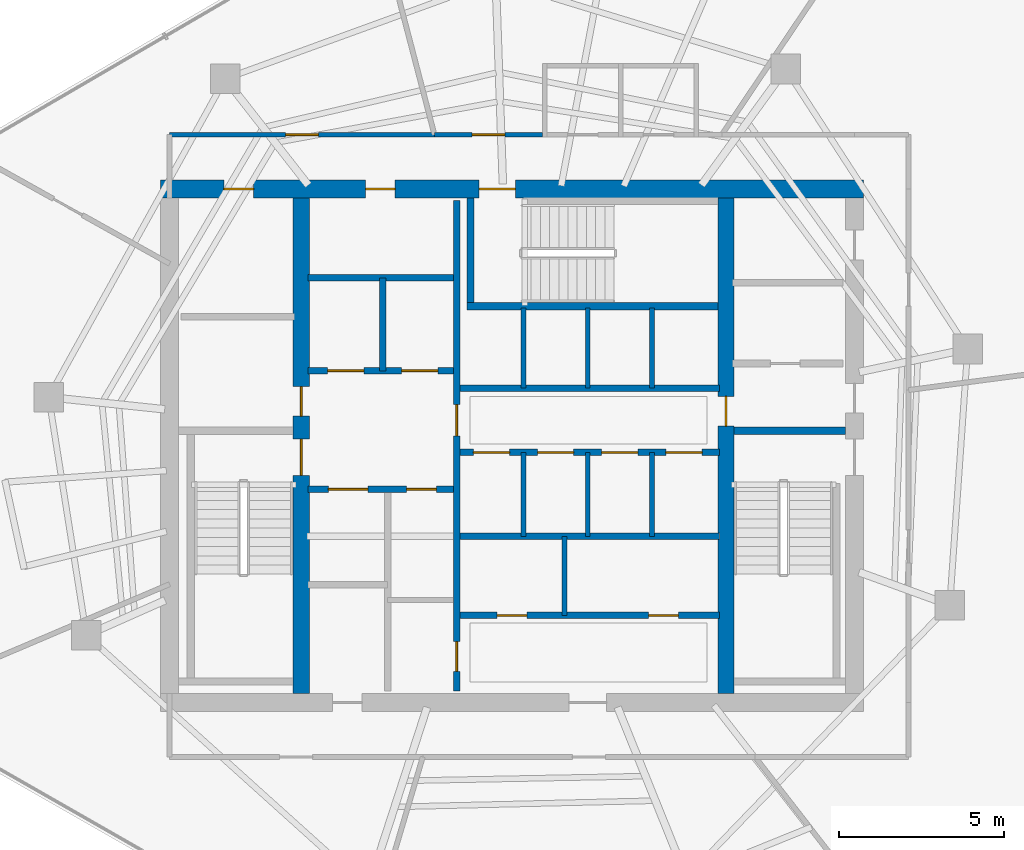
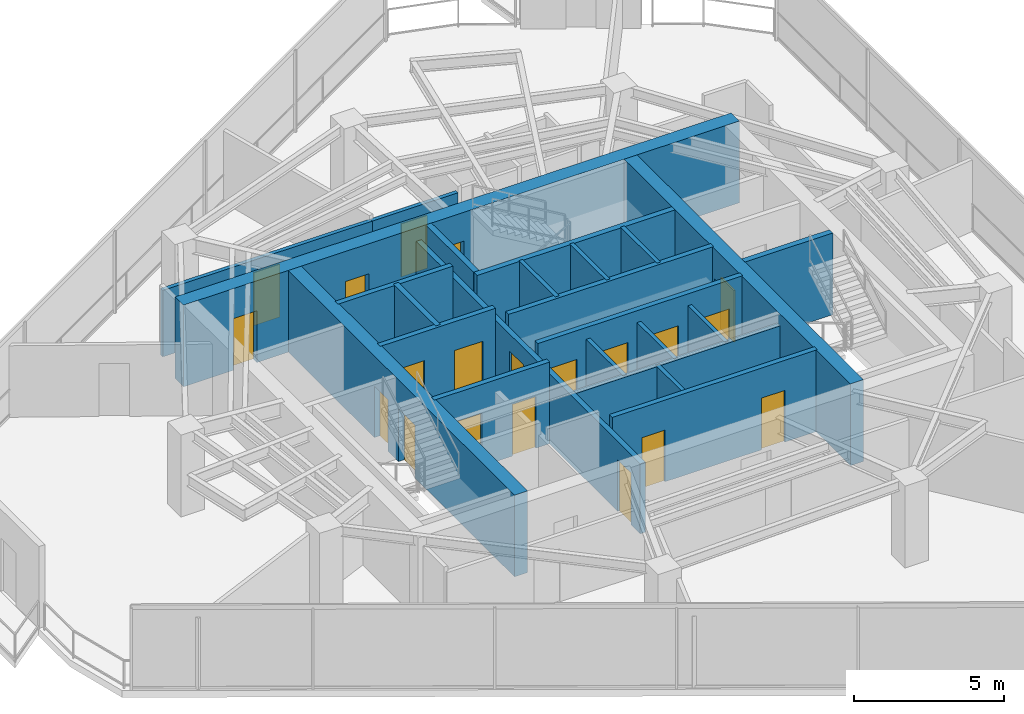
# One storey, part 15 of 19: 24 walls, 20 doors, 20 openings.
"""IFC4 building model written with IfcOpenShell, lengths in metres."""

from ifc_helpers import new_model, si_unit, direction, frame, frame_2d, origin, place, context, subcontext, project, spatial, rectangle, extrude, material, layer, layer_set, type_object, element, fill, save


model = new_model("IFC4")

# Units and contexts
model_context = context("Model", 3, precision=1e-05, world=origin(), true_north=direction((0.0, 1.0)))
body_context = subcontext(model_context, "Body", "Model", "MODEL_VIEW")
ifc_project = project(units=[si_unit("LENGTHUNIT", "METRE"), si_unit("AREAUNIT", "SQUARE_METRE"), si_unit("VOLUMEUNIT", "CUBIC_METRE"), si_unit("PLANEANGLEUNIT", "RADIAN"), si_unit("MASSUNIT", "GRAM", prefix="KILO")], contexts=[model_context])

# Site, building, storey
site_placement = place(None, origin())
site = spatial("IfcSite", under=ifc_project, at=site_placement, CompositionType="ELEMENT")
building_placement = place(site_placement, origin())
building = spatial("IfcBuilding", under=site, at=building_placement, Name="Qarnah Convention Tower", CompositionType="ELEMENT")
storey_placement = place(building_placement, frame((0.0, 0.0, 180.60009765625)))
storey = spatial("IfcBuildingStorey", under=building, at=storey_placement, Name="L48", CompositionType="ELEMENT", Elevation=180.60009765625)

# Wall, openings, doors
ifc_material_1 = material(Name="Concrete C60/75", Category="concrete")
ifc_layer_1 = layer(ifc_material_1, 0.550048828125)
ifc_layer_set_1 = layer_set([ifc_layer_1], Name="Concrete C60/75")
wall_type_1 = type_object("IfcWallType", Name="WL-CORE-550", PredefinedType="SHEAR", material=ifc_layer_set_1)
wall_1_placement = place(storey_placement, frame((26.52490234375, 34.199951171875, 0.0), z_axis=(0.0, 0.0, 1.0), x_axis=(1.0, 0.0, 0.0)))
wall_1 = element("IfcWall", 1, at=wall_1_placement, inside=storey, type_object=wall_type_1, Name="L48 core north shear wall", PredefinedType="SHEAR", context=body_context, shape_type="SweptSolid", body=[
    extrude(rectangle(XDim=21.35009765625, YDim=0.550048828125, at=frame_2d((10.675048828125, 0.0))), origin(), (0.0, 0.0, 1.0), 3.31982421875),
])
opening_1_placement = place(wall_1_placement, frame((9.675048828125, 0.0, 0.0)))
opening_1 = element("IfcOpeningElement", 2, at=opening_1_placement, cuts=wall_1, Name="Opening D-4803", PredefinedType="OPENING", context=body_context, shape_type="SweptSolid", body=[
    extrude(rectangle(XDim=1.10009765625, YDim=2.14990234375, at=frame_2d((0.550048828125, 1.074951171875))), frame((0.0, 0.284912109375, 0.0), z_axis=(0.0, -1.0, 0.0), x_axis=(1.0, 0.0, 0.0)), (0.0, 0.0, 1.0), 0.570068359375),
])
opening_2_placement = place(wall_1_placement, frame((1.925048828125, 0.0, 0.0)))
opening_2 = element("IfcOpeningElement", 3, at=opening_2_placement, cuts=wall_1, Name="Opening D-4809", PredefinedType="OPENING", context=body_context, shape_type="SweptSolid", body=[
    extrude(rectangle(XDim=0.89990234375, YDim=2.10009765625, at=frame_2d((0.449951171875, 1.050048828125))), frame((0.0, 0.284912109375, 0.0), z_axis=(0.0, -1.0, 0.0), x_axis=(1.0, 0.0, 0.0)), (0.0, 0.0, 1.0), 0.570068359375),
])
opening_3_placement = place(wall_1_placement, frame((6.22509765625, 0.0, 0.0)))
opening_3 = element("IfcOpeningElement", 4, at=opening_3_placement, cuts=wall_1, Name="Opening D-4810", PredefinedType="OPENING", context=body_context, shape_type="SweptSolid", body=[
    extrude(rectangle(XDim=0.89990234375, YDim=2.10009765625, at=frame_2d((0.449951171875, 1.050048828125))), frame((0.0, 0.284912109375, 0.0), z_axis=(0.0, -1.0, 0.0), x_axis=(1.0, 0.0, 0.0)), (0.0, 0.0, 1.0), 0.570068359375),
])
ifc_material_2 = material(Name="Structural steel S355JR", Category="steel")
door_type_1 = type_object("IfcDoorType", Name="DT-RISER-900", OperationType="NOTDEFINED", PredefinedType="DOOR", material=ifc_material_2)
door_1_placement = place(opening_2_placement, origin())
door_1 = element("IfcDoor", 5, at=door_1_placement, inside=storey, type_object=door_type_1, Name="Door D-4809", OperationType="SINGLE_SWING_RIGHT", OverallHeight=2.10009765625, OverallWidth=0.89990234375, PredefinedType="DOOR", context=body_context, shape_type="SweptSolid", body=[
    extrude(rectangle(XDim=0.89990234375, YDim=2.10009765625, at=frame_2d((0.449951171875, 1.050048828125))), frame((0.0, 0.02490234375, 0.0), z_axis=(0.0, -1.0, 0.0), x_axis=(1.0, 0.0, 0.0)), (0.0, 0.0, 1.0), 0.050048828125),
])
fill(opening_2, door_1)
door_2_placement = place(opening_3_placement, origin())
door_2 = element("IfcDoor", 6, at=door_2_placement, inside=storey, type_object=door_type_1, Name="Door D-4810", OperationType="SINGLE_SWING_LEFT", OverallHeight=2.10009765625, OverallWidth=0.89990234375, PredefinedType="DOOR", context=body_context, shape_type="SweptSolid", body=[
    extrude(rectangle(XDim=0.89990234375, YDim=2.10009765625, at=frame_2d((0.449951171875, 1.050048828125))), frame((0.0, 0.02490234375, 0.0), z_axis=(0.0, -1.0, 0.0), x_axis=(1.0, 0.0, 0.0)), (0.0, 0.0, 1.0), 0.050048828125),
])
fill(opening_3, door_2)
door_type_2 = type_object("IfcDoorType", Name="DT-STAIR-1100", OperationType="NOTDEFINED", PredefinedType="DOOR", material=ifc_material_2)
door_3_placement = place(opening_1_placement, origin())
door_3 = element("IfcDoor", 7, at=door_3_placement, inside=storey, type_object=door_type_2, Name="Door D-4803", OperationType="SINGLE_SWING_RIGHT", OverallHeight=2.14990234375, OverallWidth=1.10009765625, PredefinedType="DOOR", context=body_context, shape_type="SweptSolid", body=[
    extrude(rectangle(XDim=1.10009765625, YDim=2.14990234375, at=frame_2d((0.550048828125, 1.074951171875))), frame((0.0, 0.02490234375, 0.0), z_axis=(0.0, -1.0, 0.0), x_axis=(1.0, 0.0, 0.0)), (0.0, 0.0, 1.0), 0.050048828125),
])
fill(opening_1, door_3)

ifc_layer_2 = layer(ifc_material_1, 0.5)
ifc_layer_set_2 = layer_set([ifc_layer_2], Name="Concrete C60/75")
wall_type_2 = type_object("IfcWallType", Name="WL-CORE-INT-400", PredefinedType="SHEAR", material=ifc_layer_set_2)
wall_2_placement = place(storey_placement, frame((30.800048828125, 18.875, 0.0), z_axis=(0.0, 0.0, 1.0), x_axis=(0.0, 1.0, 0.0)))
wall_2 = element("IfcWall", 8, at=wall_2_placement, inside=storey, type_object=wall_type_2, Name="L48 core west spine shear wall", PredefinedType="SHEAR", context=body_context, shape_type="SweptSolid", body=[
    extrude(rectangle(XDim=15.050048828125, YDim=0.5, at=frame_2d((7.52490234375, 0.0))), origin(), (0.0, 0.0, 1.0), 3.31982421875),
])
opening_4_placement = place(wall_2_placement, frame((6.625, 0.0, 0.0)))
opening_4 = element("IfcOpeningElement", 9, at=opening_4_placement, cuts=wall_2, Name="Opening D-4801", PredefinedType="OPENING", context=body_context, shape_type="SweptSolid", body=[
    extrude(rectangle(XDim=1.10009765625, YDim=2.14990234375, at=frame_2d((0.550048828125, 1.074951171875))), frame((0.0, 0.260009765625, 0.0), z_axis=(0.0, -1.0, 0.0), x_axis=(1.0, 0.0, 0.0)), (0.0, 0.0, 1.0), 0.52001953125),
])
opening_5_placement = place(wall_2_placement, frame((8.425048828125, 0.0, 0.0)))
opening_5 = element("IfcOpeningElement", 10, at=opening_5_placement, cuts=wall_2, Name="Opening D-4808", PredefinedType="OPENING", context=body_context, shape_type="SweptSolid", body=[
    extrude(rectangle(XDim=0.89990234375, YDim=2.10009765625, at=frame_2d((0.449951171875, 1.050048828125))), frame((0.0, 0.260009765625, 0.0), z_axis=(0.0, -1.0, 0.0), x_axis=(1.0, 0.0, 0.0)), (0.0, 0.0, 1.0), 0.52001953125),
])
door_4_placement = place(opening_5_placement, origin())
door_4 = element("IfcDoor", 11, at=door_4_placement, inside=storey, type_object=door_type_1, Name="Door D-4808", OperationType="SINGLE_SWING_LEFT", OverallHeight=2.10009765625, OverallWidth=0.89990234375, PredefinedType="DOOR", context=body_context, shape_type="SweptSolid", body=[
    extrude(rectangle(XDim=0.89990234375, YDim=2.10009765625, at=frame_2d((0.449951171875, 1.050048828125))), frame((0.0, 0.02490234375, 0.0), z_axis=(0.0, -1.0, 0.0), x_axis=(1.0, 0.0, 0.0)), (0.0, 0.0, 1.0), 0.050048828125),
])
fill(opening_5, door_4)
door_5_placement = place(opening_4_placement, origin())
door_5 = element("IfcDoor", 12, at=door_5_placement, inside=storey, type_object=door_type_2, Name="Door D-4801", OperationType="SINGLE_SWING_RIGHT", OverallHeight=2.14990234375, OverallWidth=1.10009765625, PredefinedType="DOOR", context=body_context, shape_type="SweptSolid", body=[
    extrude(rectangle(XDim=1.10009765625, YDim=2.14990234375, at=frame_2d((0.550048828125, 1.074951171875))), frame((0.0, 0.02490234375, 0.0), z_axis=(0.0, -1.0, 0.0), x_axis=(1.0, 0.0, 0.0)), (0.0, 0.0, 1.0), 0.050048828125),
])
fill(opening_4, door_5)

# Wall, opening, door
wall_3_placement = place(storey_placement, frame((43.699951171875, 18.875, 0.0), z_axis=(0.0, 0.0, 1.0), x_axis=(0.0, 1.0, 0.0)))
wall_3 = element("IfcWall", 13, at=wall_3_placement, inside=storey, type_object=wall_type_2, Name="L48 core east spine shear wall", PredefinedType="SHEAR", context=body_context, shape_type="SweptSolid", body=[
    extrude(rectangle(XDim=15.050048828125, YDim=0.5, at=frame_2d((7.52490234375, 0.0))), origin(), (0.0, 0.0, 1.0), 3.31982421875),
])
opening_6_placement = place(wall_3_placement, frame((8.125, 0.0, 0.0)))
opening_6 = element("IfcOpeningElement", 14, at=opening_6_placement, cuts=wall_3, Name="Opening D-4805", PredefinedType="OPENING", context=body_context, shape_type="SweptSolid", body=[
    extrude(rectangle(XDim=0.89990234375, YDim=2.10009765625, at=frame_2d((0.449951171875, 1.050048828125))), frame((0.0, 0.260009765625, 0.0), z_axis=(0.0, -1.0, 0.0), x_axis=(1.0, 0.0, 0.0)), (0.0, 0.0, 1.0), 0.52001953125),
])
door_6_placement = place(opening_6_placement, origin())
door_6 = element("IfcDoor", 15, at=door_6_placement, inside=storey, type_object=door_type_1, Name="Door D-4805", OperationType="SINGLE_SWING_RIGHT", OverallHeight=2.10009765625, OverallWidth=0.89990234375, PredefinedType="DOOR", context=body_context, shape_type="SweptSolid", body=[
    extrude(rectangle(XDim=0.89990234375, YDim=2.10009765625, at=frame_2d((0.449951171875, 1.050048828125))), frame((0.0, 0.02490234375, 0.0), z_axis=(0.0, -1.0, 0.0), x_axis=(1.0, 0.0, 0.0)), (0.0, 0.0, 1.0), 0.050048828125),
])
fill(opening_6, door_6)

# Wall, openings, doors
ifc_material_3 = material(Name="Concrete C45/55", Category="concrete")
ifc_layer_3 = layer(ifc_material_3, 0.199951171875)
ifc_layer_set_3 = layer_set([ifc_layer_3], Name="Concrete C45/55")
wall_type_3 = type_object("IfcWallType", Name="WL-CORE-PART-200", PredefinedType="SOLIDWALL", material=ifc_layer_set_3)
wall_4_placement = place(storey_placement, frame((35.52001953125, 18.949951171875, 0.0), z_axis=(0.0, 0.0, 1.0), x_axis=(0.0, 1.0, 0.0)))
wall_4 = element("IfcWall", 16, at=wall_4_placement, inside=storey, type_object=wall_type_3, Name="L48 interior wall IW-L48-CSP", PredefinedType="SOLIDWALL", context=body_context, shape_type="SweptSolid", body=[
    extrude(rectangle(XDim=14.900146484375, YDim=0.199951171875, at=frame_2d((7.4501953125, 0.0))), origin(), (0.0, 0.0, 1.0), 2.8408203125),
])
opening_7_placement = place(wall_4_placement, frame((7.7548828125, 0.0, 0.0)))
opening_7 = element("IfcOpeningElement", 17, at=opening_7_placement, cuts=wall_4, Name="Opening D-4804", PredefinedType="OPENING", context=body_context, shape_type="SweptSolid", body=[
    extrude(rectangle(XDim=0.949951171875, YDim=2.14990234375, at=frame_2d((0.47509765625, 1.074951171875))), frame((0.0, 0.10986328125, 0.0), z_axis=(0.0, -1.0, 0.0), x_axis=(1.0, 0.0, 0.0)), (0.0, 0.0, 1.0), 0.219970703125),
])
opening_8_placement = place(wall_4_placement, frame((0.60009765625, 0.0, 0.0)))
opening_8 = element("IfcOpeningElement", 18, at=opening_8_placement, cuts=wall_4, Name="Opening D-4814", PredefinedType="OPENING", context=body_context, shape_type="SweptSolid", body=[
    extrude(rectangle(XDim=0.89990234375, YDim=2.10009765625, at=frame_2d((0.449951171875, 1.050048828125))), frame((0.0, 0.10986328125, 0.0), z_axis=(0.0, -1.0, 0.0), x_axis=(1.0, 0.0, 0.0)), (0.0, 0.0, 1.0), 0.219970703125),
])
ifc_material_4 = material(Name="Oak timber veneer", Category="wood")
door_type_3 = type_object("IfcDoorType", Name="DT-HOTEL-950", OperationType="NOTDEFINED", PredefinedType="DOOR", material=ifc_material_4)
door_7_placement = place(opening_7_placement, origin())
door_7 = element("IfcDoor", 19, at=door_7_placement, inside=storey, type_object=door_type_3, Name="Door D-4804", OperationType="SINGLE_SWING_LEFT", OverallHeight=2.14990234375, OverallWidth=0.949951171875, PredefinedType="DOOR", context=body_context, shape_type="SweptSolid", body=[
    extrude(rectangle(XDim=0.949951171875, YDim=2.14990234375, at=frame_2d((0.47509765625, 1.074951171875))), frame((0.0, 0.02490234375, 0.0), z_axis=(0.0, -1.0, 0.0), x_axis=(1.0, 0.0, 0.0)), (0.0, 0.0, 1.0), 0.050048828125),
])
fill(opening_7, door_7)
door_8_placement = place(opening_8_placement, origin())
door_8 = element("IfcDoor", 20, at=door_8_placement, inside=storey, type_object=door_type_1, Name="Door D-4814", OperationType="SINGLE_SWING_LEFT", OverallHeight=2.10009765625, OverallWidth=0.89990234375, PredefinedType="DOOR", context=body_context, shape_type="SweptSolid", body=[
    extrude(rectangle(XDim=0.89990234375, YDim=2.10009765625, at=frame_2d((0.449951171875, 1.050048828125))), frame((0.0, 0.02490234375, 0.0), z_axis=(0.0, -1.0, 0.0), x_axis=(1.0, 0.0, 0.0)), (0.0, 0.0, 1.0), 0.050048828125),
])
fill(opening_8, door_8)

wall_5_placement = place(storey_placement, frame((31.0, 28.679931640625, 0.0), z_axis=(0.0, 0.0, 1.0), x_axis=(1.0, 0.0, 0.0)))
wall_5 = element("IfcWall", 21, at=wall_5_placement, inside=storey, type_object=wall_type_3, Name="L48 interior wall IW-L48-FFLS", PredefinedType="SOLIDWALL", context=body_context, shape_type="SweptSolid", body=[
    extrude(rectangle(XDim=4.419921875, YDim=0.199951171875, at=frame_2d((2.2099609375, 0.0))), origin(), (0.0, 0.0, 1.0), 3.31982421875),
])
opening_9_placement = place(wall_5_placement, frame((0.60009765625, 0.0, 0.0)))
opening_9 = element("IfcOpeningElement", 22, at=opening_9_placement, cuts=wall_5, Name="Opening LD-4801", PredefinedType="OPENING", context=body_context, shape_type="SweptSolid", body=[
    extrude(rectangle(XDim=1.10009765625, YDim=2.14990234375, at=frame_2d((0.550048828125, 1.074951171875))), frame((0.0, 0.10986328125, 0.0), z_axis=(0.0, -1.0, 0.0), x_axis=(1.0, 0.0, 0.0)), (0.0, 0.0, 1.0), 0.219970703125),
])
opening_10_placement = place(wall_5_placement, frame((2.85009765625, 0.0, 0.0)))
opening_10 = element("IfcOpeningElement", 23, at=opening_10_placement, cuts=wall_5, Name="Opening LD-4802", PredefinedType="OPENING", context=body_context, shape_type="SweptSolid", body=[
    extrude(rectangle(XDim=1.10009765625, YDim=2.14990234375, at=frame_2d((0.550048828125, 1.074951171875))), frame((0.0, 0.10986328125, 0.0), z_axis=(0.0, -1.0, 0.0), x_axis=(1.0, 0.0, 0.0)), (0.0, 0.0, 1.0), 0.219970703125),
])
door_type_4 = type_object("IfcDoorType", Name="DT-LIFT-1100", OperationType="SLIDING_TO_LEFT", PredefinedType="DOOR", material=ifc_material_2)
door_9_placement = place(opening_9_placement, origin())
door_9 = element("IfcDoor", 24, at=door_9_placement, inside=storey, type_object=door_type_4, Name="Door LD-4801", OperationType="SLIDING_TO_LEFT", OverallHeight=2.14990234375, OverallWidth=1.10009765625, PredefinedType="DOOR", context=body_context, shape_type="SweptSolid", body=[
    extrude(rectangle(XDim=1.10009765625, YDim=2.14990234375, at=frame_2d((0.550048828125, 1.074951171875))), frame((0.0, 0.02490234375, 0.0), z_axis=(0.0, -1.0, 0.0), x_axis=(1.0, 0.0, 0.0)), (0.0, 0.0, 1.0), 0.050048828125),
])
fill(opening_9, door_9)
door_10_placement = place(opening_10_placement, origin())
door_10 = element("IfcDoor", 25, at=door_10_placement, inside=storey, type_object=door_type_4, Name="Door LD-4802", OperationType="SLIDING_TO_LEFT", OverallHeight=2.14990234375, OverallWidth=1.10009765625, PredefinedType="DOOR", context=body_context, shape_type="SweptSolid", body=[
    extrude(rectangle(XDim=1.10009765625, YDim=2.14990234375, at=frame_2d((0.550048828125, 1.074951171875))), frame((0.0, 0.02490234375, 0.0), z_axis=(0.0, -1.0, 0.0), x_axis=(1.0, 0.0, 0.0)), (0.0, 0.0, 1.0), 0.050048828125),
])
fill(opening_10, door_10)

# Walls
wall_6_placement = place(storey_placement, frame((31.0, 31.5, 0.0), z_axis=(0.0, 0.0, 1.0), x_axis=(1.0, 0.0, 0.0)))
element("IfcWall", 26, at=wall_6_placement, inside=storey, type_object=wall_type_3, Name="L48 interior wall IW-L48-FFLN", PredefinedType="SOLIDWALL", context=body_context, shape_type="SweptSolid", body=[
    extrude(rectangle(XDim=4.419921875, YDim=0.199951171875, at=frame_2d((2.2099609375, 0.0))), origin(), (0.0, 0.0, 1.0), 3.31982421875),
])
wall_7_placement = place(storey_placement, frame((33.280029296875, 28.679931640625, 0.0), z_axis=(0.0, 0.0, 1.0), x_axis=(0.0, 1.0, 0.0)))
element("IfcWall", 27, at=wall_7_placement, inside=storey, type_object=wall_type_3, Name="L48 interior wall IW-L48-FFLM", PredefinedType="SOLIDWALL", context=body_context, shape_type="SweptSolid", body=[
    extrude(rectangle(XDim=2.820068359375, YDim=0.199951171875, at=frame_2d((1.41015625, 0.0))), origin(), (0.0, 0.0, 1.0), 3.31982421875),
])

# Wall, openings, doors
wall_8_placement = place(storey_placement, frame((31.0, 25.080078125, 0.0), z_axis=(0.0, 0.0, 1.0), x_axis=(1.0, 0.0, 0.0)))
wall_8 = element("IfcWall", 28, at=wall_8_placement, inside=storey, type_object=wall_type_3, Name="L48 interior wall IW-L48-FFLBS", PredefinedType="SOLIDWALL", context=body_context, shape_type="SweptSolid", body=[
    extrude(rectangle(XDim=4.419921875, YDim=0.199951171875, at=frame_2d((2.2099609375, 0.0))), origin(), (0.0, 0.0, 1.0), 3.31982421875),
])
opening_11_placement = place(wall_8_placement, frame((3.0, 0.0, 0.0)))
opening_11 = element("IfcOpeningElement", 29, at=opening_11_placement, cuts=wall_8, Name="Opening D-4815", PredefinedType="OPENING", context=body_context, shape_type="SweptSolid", body=[
    extrude(rectangle(XDim=0.89990234375, YDim=2.10009765625, at=frame_2d((0.449951171875, 1.050048828125))), frame((0.0, 0.10986328125, 0.0), z_axis=(0.0, -1.0, 0.0), x_axis=(1.0, 0.0, 0.0)), (0.0, 0.0, 1.0), 0.219970703125),
])
opening_12_placement = place(wall_8_placement, frame((0.6201171875, 0.0, 0.0)))
opening_12 = element("IfcOpeningElement", 30, at=opening_12_placement, cuts=wall_8, Name="Opening LD-4803", PredefinedType="OPENING", context=body_context, shape_type="SweptSolid", body=[
    extrude(rectangle(XDim=1.199951171875, YDim=2.14990234375, at=frame_2d((0.60009765625, 1.074951171875))), frame((0.0, 0.10986328125, 0.0), z_axis=(0.0, -1.0, 0.0), x_axis=(1.0, 0.0, 0.0)), (0.0, 0.0, 1.0), 0.219970703125),
])
door_type_5 = type_object("IfcDoorType", Name="DT-LIFT-1200", OperationType="SLIDING_TO_LEFT", PredefinedType="DOOR", material=ifc_material_2)
door_11_placement = place(opening_12_placement, origin())
door_11 = element("IfcDoor", 31, at=door_11_placement, inside=storey, type_object=door_type_5, Name="Door LD-4803", OperationType="SLIDING_TO_LEFT", OverallHeight=2.14990234375, OverallWidth=1.199951171875, PredefinedType="DOOR", context=body_context, shape_type="SweptSolid", body=[
    extrude(rectangle(XDim=1.199951171875, YDim=2.14990234375, at=frame_2d((0.60009765625, 1.074951171875))), frame((0.0, 0.02490234375, 0.0), z_axis=(0.0, -1.0, 0.0), x_axis=(1.0, 0.0, 0.0)), (0.0, 0.0, 1.0), 0.050048828125),
])
fill(opening_12, door_11)
door_12_placement = place(opening_11_placement, origin())
door_12 = element("IfcDoor", 32, at=door_12_placement, inside=storey, type_object=door_type_1, Name="Door D-4815", OperationType="SINGLE_SWING_RIGHT", OverallHeight=2.10009765625, OverallWidth=0.89990234375, PredefinedType="DOOR", context=body_context, shape_type="SweptSolid", body=[
    extrude(rectangle(XDim=0.89990234375, YDim=2.10009765625, at=frame_2d((0.449951171875, 1.050048828125))), frame((0.0, 0.02490234375, 0.0), z_axis=(0.0, -1.0, 0.0), x_axis=(1.0, 0.0, 0.0)), (0.0, 0.0, 1.0), 0.050048828125),
])
fill(opening_11, door_12)

# Wall
wall_9_placement = place(storey_placement, frame((35.6201171875, 28.14990234375, 0.0), z_axis=(0.0, 0.0, 1.0), x_axis=(1.0, 0.0, 0.0)))
element("IfcWall", 33, at=wall_9_placement, inside=storey, type_object=wall_type_3, Name="L48 interior wall IW-L48-PHS", PredefinedType="SOLIDWALL", context=body_context, shape_type="SweptSolid", body=[
    extrude(rectangle(XDim=7.8798828125, YDim=0.199951171875, at=frame_2d((3.93994140625, 0.0))), origin(), (0.0, 0.0, 1.0), 3.31982421875),
])

# Wall, openings, doors
wall_10_placement = place(storey_placement, frame((35.6201171875, 26.199951171875, 0.0), z_axis=(0.0, 0.0, 1.0), x_axis=(1.0, 0.0, 0.0)))
wall_10 = element("IfcWall", 34, at=wall_10_placement, inside=storey, type_object=wall_type_3, Name="L48 interior wall IW-L48-PMN", PredefinedType="SOLIDWALL", context=body_context, shape_type="SweptSolid", body=[
    extrude(rectangle(XDim=7.8798828125, YDim=0.199951171875, at=frame_2d((3.93994140625, 0.0))), origin(), (0.0, 0.0, 1.0), 3.31982421875),
])
opening_13_placement = place(wall_10_placement, frame((0.405029296875, 0.0, 0.0)))
opening_13 = element("IfcOpeningElement", 35, at=opening_13_placement, cuts=wall_10, Name="Opening LD-4804", PredefinedType="OPENING", context=body_context, shape_type="SweptSolid", body=[
    extrude(rectangle(XDim=1.10009765625, YDim=2.14990234375, at=frame_2d((0.550048828125, 1.074951171875))), frame((0.0, 0.10986328125, 0.0), z_axis=(0.0, -1.0, 0.0), x_axis=(1.0, 0.0, 0.0)), (0.0, 0.0, 1.0), 0.219970703125),
])
opening_14_placement = place(wall_10_placement, frame((2.35498046875, 0.0, 0.0)))
opening_14 = element("IfcOpeningElement", 36, at=opening_14_placement, cuts=wall_10, Name="Opening LD-4805", PredefinedType="OPENING", context=body_context, shape_type="SweptSolid", body=[
    extrude(rectangle(XDim=1.10009765625, YDim=2.14990234375, at=frame_2d((0.550048828125, 1.074951171875))), frame((0.0, 0.10986328125, 0.0), z_axis=(0.0, -1.0, 0.0), x_axis=(1.0, 0.0, 0.0)), (0.0, 0.0, 1.0), 0.219970703125),
])
opening_15_placement = place(wall_10_placement, frame((4.304931640625, 0.0, 0.0)))
opening_15 = element("IfcOpeningElement", 37, at=opening_15_placement, cuts=wall_10, Name="Opening LD-4806", PredefinedType="OPENING", context=body_context, shape_type="SweptSolid", body=[
    extrude(rectangle(XDim=1.10009765625, YDim=2.14990234375, at=frame_2d((0.550048828125, 1.074951171875))), frame((0.0, 0.10986328125, 0.0), z_axis=(0.0, -1.0, 0.0), x_axis=(1.0, 0.0, 0.0)), (0.0, 0.0, 1.0), 0.219970703125),
])
opening_16_placement = place(wall_10_placement, frame((6.2548828125, 0.0, 0.0)))
opening_16 = element("IfcOpeningElement", 38, at=opening_16_placement, cuts=wall_10, Name="Opening LD-4807", PredefinedType="OPENING", context=body_context, shape_type="SweptSolid", body=[
    extrude(rectangle(XDim=1.10009765625, YDim=2.14990234375, at=frame_2d((0.550048828125, 1.074951171875))), frame((0.0, 0.10986328125, 0.0), z_axis=(0.0, -1.0, 0.0), x_axis=(1.0, 0.0, 0.0)), (0.0, 0.0, 1.0), 0.219970703125),
])
door_13_placement = place(opening_13_placement, origin())
door_13 = element("IfcDoor", 39, at=door_13_placement, inside=storey, type_object=door_type_4, Name="Door LD-4804", OperationType="SLIDING_TO_LEFT", OverallHeight=2.14990234375, OverallWidth=1.10009765625, PredefinedType="DOOR", context=body_context, shape_type="SweptSolid", body=[
    extrude(rectangle(XDim=1.10009765625, YDim=2.14990234375, at=frame_2d((0.550048828125, 1.074951171875))), frame((0.0, 0.02490234375, 0.0), z_axis=(0.0, -1.0, 0.0), x_axis=(1.0, 0.0, 0.0)), (0.0, 0.0, 1.0), 0.050048828125),
])
fill(opening_13, door_13)
door_14_placement = place(opening_14_placement, origin())
door_14 = element("IfcDoor", 40, at=door_14_placement, inside=storey, type_object=door_type_4, Name="Door LD-4805", OperationType="SLIDING_TO_LEFT", OverallHeight=2.14990234375, OverallWidth=1.10009765625, PredefinedType="DOOR", context=body_context, shape_type="SweptSolid", body=[
    extrude(rectangle(XDim=1.10009765625, YDim=2.14990234375, at=frame_2d((0.550048828125, 1.074951171875))), frame((0.0, 0.02490234375, 0.0), z_axis=(0.0, -1.0, 0.0), x_axis=(1.0, 0.0, 0.0)), (0.0, 0.0, 1.0), 0.050048828125),
])
fill(opening_14, door_14)
door_15_placement = place(opening_15_placement, origin())
door_15 = element("IfcDoor", 41, at=door_15_placement, inside=storey, type_object=door_type_4, Name="Door LD-4806", OperationType="SLIDING_TO_LEFT", OverallHeight=2.14990234375, OverallWidth=1.10009765625, PredefinedType="DOOR", context=body_context, shape_type="SweptSolid", body=[
    extrude(rectangle(XDim=1.10009765625, YDim=2.14990234375, at=frame_2d((0.550048828125, 1.074951171875))), frame((0.0, 0.02490234375, 0.0), z_axis=(0.0, -1.0, 0.0), x_axis=(1.0, 0.0, 0.0)), (0.0, 0.0, 1.0), 0.050048828125),
])
fill(opening_15, door_15)
door_16_placement = place(opening_16_placement, origin())
door_16 = element("IfcDoor", 42, at=door_16_placement, inside=storey, type_object=door_type_4, Name="Door LD-4807", OperationType="SLIDING_TO_LEFT", OverallHeight=2.14990234375, OverallWidth=1.10009765625, PredefinedType="DOOR", context=body_context, shape_type="SweptSolid", body=[
    extrude(rectangle(XDim=1.10009765625, YDim=2.14990234375, at=frame_2d((0.550048828125, 1.074951171875))), frame((0.0, 0.02490234375, 0.0), z_axis=(0.0, -1.0, 0.0), x_axis=(1.0, 0.0, 0.0)), (0.0, 0.0, 1.0), 0.050048828125),
])
fill(opening_16, door_16)

# Wall
wall_11_placement = place(storey_placement, frame((35.6201171875, 23.64990234375, 0.0), z_axis=(0.0, 0.0, 1.0), x_axis=(1.0, 0.0, 0.0)))
element("IfcWall", 43, at=wall_11_placement, inside=storey, type_object=wall_type_3, Name="L48 interior wall IW-L48-PMPL", PredefinedType="SOLIDWALL", context=body_context, shape_type="SweptSolid", body=[
    extrude(rectangle(XDim=7.8798828125, YDim=0.199951171875, at=frame_2d((3.93994140625, 0.0))), origin(), (0.0, 0.0, 1.0), 2.8408203125),
])

# Wall, openings, doors
wall_12_placement = place(storey_placement, frame((35.6201171875, 21.25, 0.0), z_axis=(0.0, 0.0, 1.0), x_axis=(1.0, 0.0, 0.0)))
wall_12 = element("IfcWall", 44, at=wall_12_placement, inside=storey, type_object=wall_type_3, Name="L48 interior wall IW-L48-PLS", PredefinedType="SOLIDWALL", context=body_context, shape_type="SweptSolid", body=[
    extrude(rectangle(XDim=7.8798828125, YDim=0.199951171875, at=frame_2d((3.93994140625, 0.0))), origin(), (0.0, 0.0, 1.0), 3.31982421875),
])
opening_17_placement = place(wall_12_placement, frame((1.1298828125, 0.0, 0.0)))
opening_17 = element("IfcOpeningElement", 45, at=opening_17_placement, cuts=wall_12, Name="Opening D-4816", PredefinedType="OPENING", context=body_context, shape_type="SweptSolid", body=[
    extrude(rectangle(XDim=0.89990234375, YDim=2.10009765625, at=frame_2d((0.449951171875, 1.050048828125))), frame((0.0, 0.10986328125, 0.0), z_axis=(0.0, -1.0, 0.0), x_axis=(1.0, 0.0, 0.0)), (0.0, 0.0, 1.0), 0.219970703125),
])
opening_18_placement = place(wall_12_placement, frame((5.72998046875, 0.0, 0.0)))
opening_18 = element("IfcOpeningElement", 46, at=opening_18_placement, cuts=wall_12, Name="Opening D-4817", PredefinedType="OPENING", context=body_context, shape_type="SweptSolid", body=[
    extrude(rectangle(XDim=0.89990234375, YDim=2.10009765625, at=frame_2d((0.449951171875, 1.050048828125))), frame((0.0, 0.10986328125, 0.0), z_axis=(0.0, -1.0, 0.0), x_axis=(1.0, 0.0, 0.0)), (0.0, 0.0, 1.0), 0.219970703125),
])
door_17_placement = place(opening_17_placement, origin())
door_17 = element("IfcDoor", 47, at=door_17_placement, inside=storey, type_object=door_type_1, Name="Door D-4816", OperationType="SINGLE_SWING_LEFT", OverallHeight=2.10009765625, OverallWidth=0.89990234375, PredefinedType="DOOR", context=body_context, shape_type="SweptSolid", body=[
    extrude(rectangle(XDim=0.89990234375, YDim=2.10009765625, at=frame_2d((0.449951171875, 1.050048828125))), frame((0.0, 0.02490234375, 0.0), z_axis=(0.0, -1.0, 0.0), x_axis=(1.0, 0.0, 0.0)), (0.0, 0.0, 1.0), 0.050048828125),
])
fill(opening_17, door_17)
door_18_placement = place(opening_18_placement, origin())
door_18 = element("IfcDoor", 48, at=door_18_placement, inside=storey, type_object=door_type_1, Name="Door D-4817", OperationType="SINGLE_SWING_RIGHT", OverallHeight=2.10009765625, OverallWidth=0.89990234375, PredefinedType="DOOR", context=body_context, shape_type="SweptSolid", body=[
    extrude(rectangle(XDim=0.89990234375, YDim=2.10009765625, at=frame_2d((0.449951171875, 1.050048828125))), frame((0.0, 0.02490234375, 0.0), z_axis=(0.0, -1.0, 0.0), x_axis=(1.0, 0.0, 0.0)), (0.0, 0.0, 1.0), 0.050048828125),
])
fill(opening_18, door_18)

# Walls
ifc_layer_4 = layer(ifc_material_1, 0.219970703125)
ifc_layer_set_4 = layer_set([ifc_layer_4], Name="Concrete C60/75")
wall_type_4 = type_object("IfcWallType", Name="WL-CORE-STAIR-220", PredefinedType="SHEAR", material=ifc_layer_set_4)
wall_13_placement = place(storey_placement, frame((43.949951171875, 26.860107421875, 0.0), z_axis=(0.0, 0.0, 1.0), x_axis=(1.0, 0.0, 0.0)))
element("IfcWall", 49, at=wall_13_placement, inside=storey, type_object=wall_type_4, Name="L48 stair shaft shear wall SW-L48-ST2N", PredefinedType="SHEAR", context=body_context, shape_type="SweptSolid", body=[
    extrude(rectangle(XDim=3.375, YDim=0.219970703125, at=frame_2d((1.6875, 0.0))), origin(), (0.0, 0.0, 1.0), 3.31982421875),
])
wall_14_placement = place(storey_placement, frame((35.840087890625, 30.639892578125, 0.0), z_axis=(0.0, 0.0, 1.0), x_axis=(1.0, 0.0, 0.0)))
element("IfcWall", 50, at=wall_14_placement, inside=storey, type_object=wall_type_4, Name="L48 stair shaft shear wall SW-L48-ST3S", PredefinedType="SHEAR", context=body_context, shape_type="SweptSolid", body=[
    extrude(rectangle(XDim=7.60986328125, YDim=0.219970703125, at=frame_2d((3.804931640625, 0.0))), origin(), (0.0, 0.0, 1.0), 3.31982421875),
])
wall_15_placement = place(storey_placement, frame((35.93994140625, 30.75, 0.0), z_axis=(0.0, 0.0, 1.0), x_axis=(0.0, 1.0, 0.0)))
element("IfcWall", 51, at=wall_15_placement, inside=storey, type_object=wall_type_4, Name="L48 stair shaft shear wall SW-L48-ST3W", PredefinedType="SHEAR", context=body_context, shape_type="SweptSolid", body=[
    extrude(rectangle(XDim=3.175048828125, YDim=0.219970703125, at=frame_2d((1.58740234375, 0.0))), origin(), (0.0, 0.0, 1.0), 3.31982421875),
])
ifc_material_5 = material(Name="Gypsum partition board")
ifc_layer_5 = layer(ifc_material_5, 0.14990234375)
ifc_layer_set_5 = layer_set([ifc_layer_5], Name="Gypsum partition board")
wall_type_5 = type_object("IfcWallType", Name="WL-SUITE-150", PredefinedType="PARTITIONING", material=ifc_layer_set_5)
for number, where, z_axis, x_axis, name in (
    (52, (37.550048828125, 28.14990234375, 0.0), (0.0, 0.0, 1.0), (0.0, 1.0, 0.0), "L48 interior wall IW-L48-PHD1"),
    (53, (39.5, 28.14990234375, 0.0), (0.0, 0.0, 1.0), (0.0, 1.0, 0.0), "L48 interior wall IW-L48-PHD2"),
    (54, (41.449951171875, 28.14990234375, 0.0), (0.0, 0.0, 1.0), (0.0, 1.0, 0.0), "L48 interior wall IW-L48-PHD3"),
):
    element("IfcWall", number, at=place(storey_placement, frame(where, z_axis=z_axis, x_axis=x_axis)), inside=storey, type_object=wall_type_5, Name=name, PredefinedType="PARTITIONING", context=body_context, shape_type="SweptSolid", body=[
        extrude(rectangle(XDim=2.43017578125, YDim=0.14990234375, at=frame_2d((1.215087890625, 0.0))), origin(), (0.0, 0.0, 1.0), 3.31982421875),
    ])
for number, where, z_axis, x_axis, name in (
    (55, (37.550048828125, 23.64990234375, 0.0), (0.0, 0.0, 1.0), (0.0, 1.0, 0.0), "L48 interior wall IW-L48-PMD1"),
    (56, (39.5, 23.64990234375, 0.0), (0.0, 0.0, 1.0), (0.0, 1.0, 0.0), "L48 interior wall IW-L48-PMD2"),
    (57, (41.449951171875, 23.64990234375, 0.0), (0.0, 0.0, 1.0), (0.0, 1.0, 0.0), "L48 interior wall IW-L48-PMD3"),
):
    element("IfcWall", number, at=place(storey_placement, frame(where, z_axis=z_axis, x_axis=x_axis)), inside=storey, type_object=wall_type_5, Name=name, PredefinedType="PARTITIONING", context=body_context, shape_type="SweptSolid", body=[
        extrude(rectangle(XDim=2.550048828125, YDim=0.14990234375, at=frame_2d((1.27490234375, 0.0))), origin(), (0.0, 0.0, 1.0), 2.8408203125),
    ])
wall_16_placement = place(storey_placement, frame((38.800048828125, 21.25, 0.0), z_axis=(0.0, 0.0, 1.0), x_axis=(0.0, 1.0, 0.0)))
element("IfcWall", 58, at=wall_16_placement, inside=storey, type_object=wall_type_5, Name="L48 interior wall IW-L48-PLFD", PredefinedType="PARTITIONING", context=body_context, shape_type="SweptSolid", body=[
    extrude(rectangle(XDim=2.39990234375, YDim=0.14990234375, at=frame_2d((1.199951171875, 0.0))), origin(), (0.0, 0.0, 1.0), 2.8408203125),
])

# Wall, opening, door
wall_17_placement = place(storey_placement, frame((34.843994140625, 35.85009765625, 0.0), z_axis=(0.0, 0.0, 1.0), x_axis=(1.0, 0.0, 0.0)))
wall_17 = element("IfcWall", 59, at=wall_17_placement, inside=storey, type_object=wall_type_5, Name="L48 interior wall IW-L48-R-15", PredefinedType="PARTITIONING", context=body_context, shape_type="SweptSolid", body=[
    extrude(rectangle(XDim=3.285888671875, YDim=0.14990234375, at=frame_2d((1.64306640625, 0.0))), origin(), (0.0, 0.0, 1.0), 2.697021484375),
])
opening_19_placement = place(wall_17_placement, frame((1.14306640625, 0.0, 0.0)))
opening_19 = element("IfcOpeningElement", 60, at=opening_19_placement, cuts=wall_17, Name="Opening D-4821", PredefinedType="OPENING", context=body_context, shape_type="SweptSolid", body=[
    extrude(rectangle(XDim=1.0, YDim=2.14990234375, at=frame_2d((0.5, 1.074951171875))), frame((0.0, 0.0849609375, 0.0), z_axis=(0.0, -1.0, 0.0), x_axis=(1.0, 0.0, 0.0)), (0.0, 0.0, 1.0), 0.169921875),
])
door_type_6 = type_object("IfcDoorType", Name="DT-OFFICE-1000", OperationType="NOTDEFINED", PredefinedType="DOOR", material=ifc_material_4)
door_19_placement = place(opening_19_placement, origin())
door_19 = element("IfcDoor", 61, at=door_19_placement, inside=storey, type_object=door_type_6, Name="Door D-4821", OperationType="SINGLE_SWING_RIGHT", OverallHeight=2.14990234375, OverallWidth=1.0, PredefinedType="DOOR", context=body_context, shape_type="SweptSolid", body=[
    extrude(rectangle(XDim=1.0, YDim=2.14990234375, at=frame_2d((0.5, 1.074951171875))), frame((0.0, 0.02490234375, 0.0), z_axis=(0.0, -1.0, 0.0), x_axis=(1.0, 0.0, 0.0)), (0.0, 0.0, 1.0), 0.050048828125),
])
fill(opening_19, door_19)

wall_18_placement = place(storey_placement, frame((26.800048828125, 35.85009765625, 0.0), z_axis=(0.0, 0.0, 1.0), x_axis=(1.0, 0.0, 0.0)))
wall_18 = element("IfcWall", 62, at=wall_18_placement, inside=storey, type_object=wall_type_5, Name="L48 interior wall IW-L48-R-19", PredefinedType="PARTITIONING", context=body_context, shape_type="SweptSolid", body=[
    extrude(rectangle(XDim=8.0439453125, YDim=0.14990234375, at=frame_2d((4.02197265625, 0.0))), origin(), (0.0, 0.0, 1.0), 2.697021484375),
])
opening_20_placement = place(wall_18_placement, frame((3.52197265625, 0.0, 0.0)))
opening_20 = element("IfcOpeningElement", 63, at=opening_20_placement, cuts=wall_18, Name="Opening D-4822", PredefinedType="OPENING", context=body_context, shape_type="SweptSolid", body=[
    extrude(rectangle(XDim=1.0, YDim=2.14990234375, at=frame_2d((0.5, 1.074951171875))), frame((0.0, 0.0849609375, 0.0), z_axis=(0.0, -1.0, 0.0), x_axis=(1.0, 0.0, 0.0)), (0.0, 0.0, 1.0), 0.169921875),
])
door_20_placement = place(opening_20_placement, origin())
door_20 = element("IfcDoor", 64, at=door_20_placement, inside=storey, type_object=door_type_6, Name="Door D-4822", OperationType="SINGLE_SWING_LEFT", OverallHeight=2.14990234375, OverallWidth=1.0, PredefinedType="DOOR", context=body_context, shape_type="SweptSolid", body=[
    extrude(rectangle(XDim=1.0, YDim=2.14990234375, at=frame_2d((0.5, 1.074951171875))), frame((0.0, 0.02490234375, 0.0), z_axis=(0.0, -1.0, 0.0), x_axis=(1.0, 0.0, 0.0)), (0.0, 0.0, 1.0), 0.050048828125),
])
fill(opening_20, door_20)

save(model, "model.ifc")
